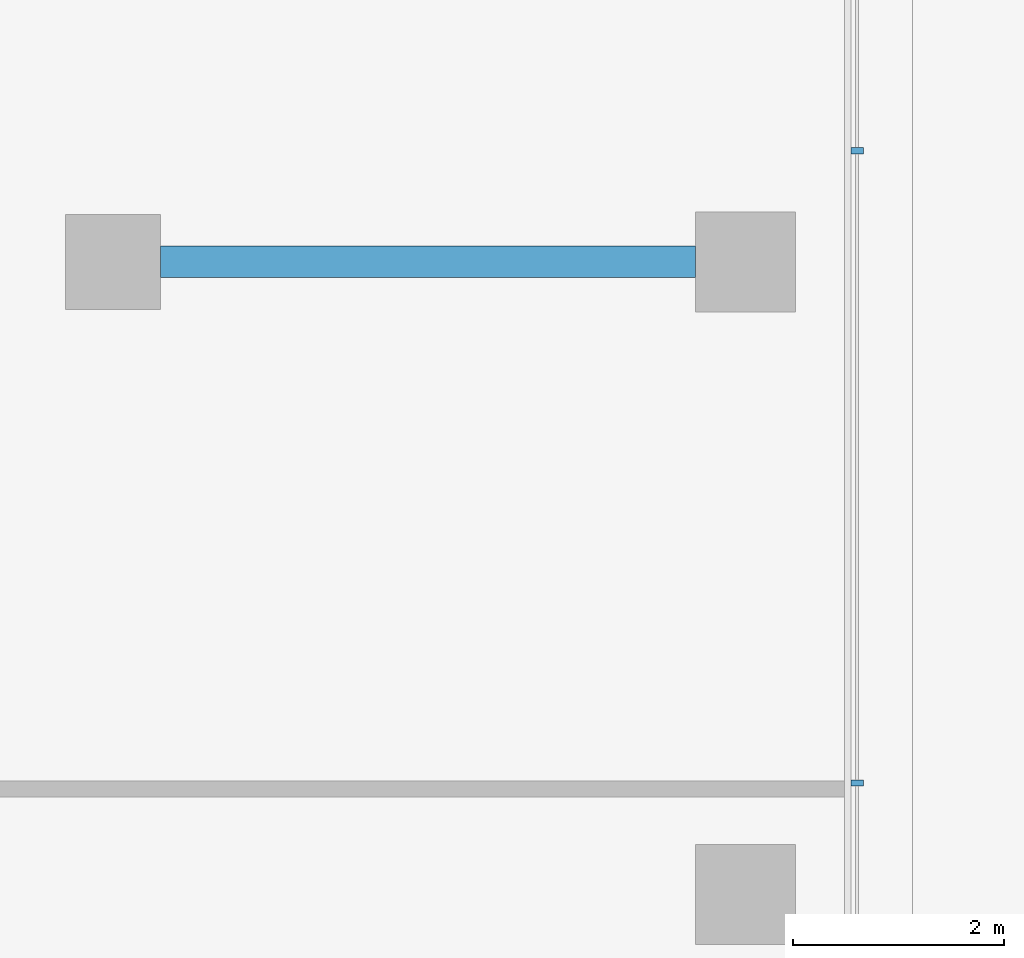
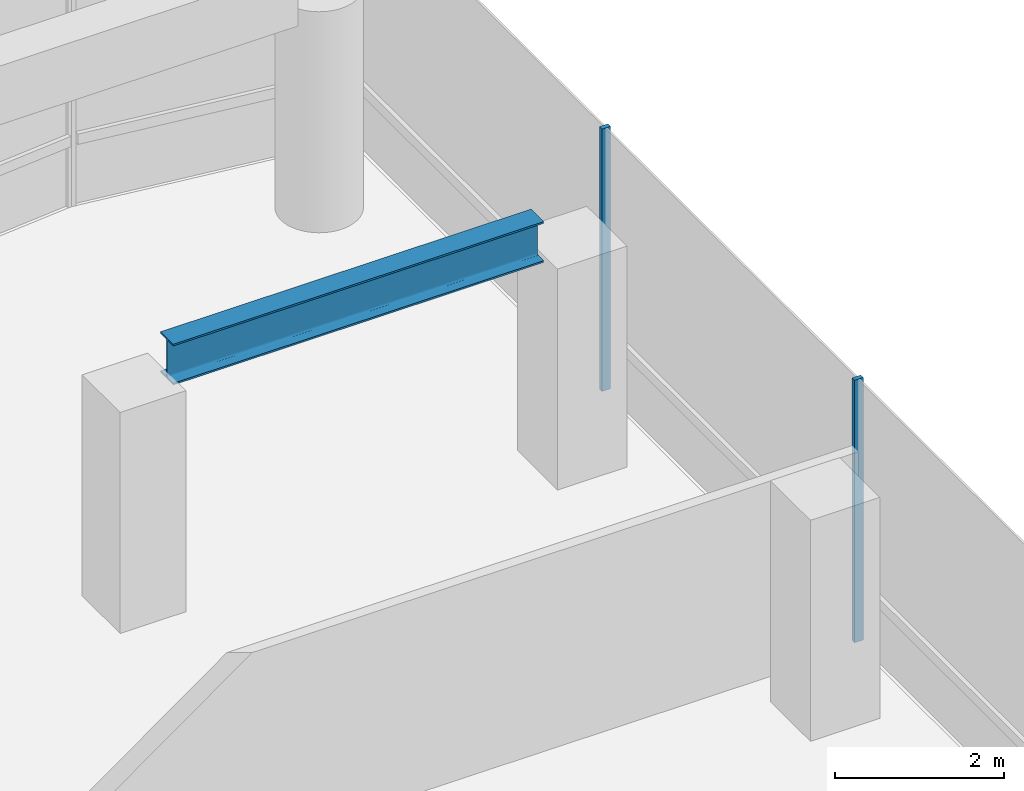
# One storey, part 15 of 22: 2 members, 1 beam, 1 element without a shape of its own.
"""IFC4 building model written with IfcOpenShell, lengths in metres."""

import ifcopenshell
import ifcopenshell.guid

model = None  # the IFC model being written
_history = None  # IfcOwnerHistory: only IFC2X3 demands one
_inside = {}  # id of a spatial element -> (the spatial element, [elements in it])
_under = {}  # id of a project, library or spatial element -> (it, [spatial elements below it])
_declared = {}  # id of a project -> (the project, [libraries it declares])
_typed = {}  # id of a type object -> (the type object, [elements of that type])
_made_of = {}  # id of a material, layer set ... -> (it, [elements and type objects made of it])


def new_model(schema):
    """Start an empty IFC model of exactly this schema.

    Asked for "IFC4X3", IfcOpenShell would pick the latest addendum, in which some entities
    have other attributes; the version numbers below select the first issue.
    IFC2X3 requires an IfcOwnerHistory on every rooted entity: one is made here for all.
    """
    global model, _history
    if schema == "IFC4X3":
        model = ifcopenshell.file(schema_version=(4, 3, 0, 0))
    else:
        model = ifcopenshell.file(schema=schema)
    _inside.clear()
    _under.clear()
    _declared.clear()
    _typed.clear()
    _made_of.clear()
    _history = None
    if model.schema == "IFC2X3":
        org = make("IfcOrganization", Name="unknown")
        user = make(
            "IfcPersonAndOrganization",
            ThePerson=make("IfcPerson", FamilyName="unknown"),
            TheOrganization=org,
        )
        app = make(
            "IfcApplication",
            ApplicationDeveloper=org,
            Version="unknown",
            ApplicationFullName="unknown",
            ApplicationIdentifier="unknown",
        )
        _history = make(
            "IfcOwnerHistory",
            OwningUser=user,
            OwningApplication=app,
            ChangeAction="ADDED",
            CreationDate=0,
        )
    return model


def make(cls, **values):
    """One entity of the class cls with the attributes given. An attribute that is None is left unset."""
    return model.create_entity(
        cls, **{name: value for name, value in values.items() if value is not None}
    )


def rooted(cls, **values):
    """An entity with a GlobalId (a new one), such as an element, a storey or a relation."""
    return make(cls, GlobalId=ifcopenshell.guid.new(), OwnerHistory=_history, **values)


def si_unit(unit_type, name, prefix=None):
    """IfcSIUnit, for example si_unit("LENGTHUNIT", "METRE", prefix="MILLI")."""
    return make("IfcSIUnit", UnitType=unit_type, Prefix=prefix, Name=name)


def assignment(units):
    """IfcUnitAssignment: the units of a project."""
    return None if units is None else make("IfcUnitAssignment", Units=units)


def point(xyz):
    """IfcCartesianPoint."""
    return None if xyz is None else make("IfcCartesianPoint", Coordinates=xyz)


def direction(xyz):
    """IfcDirection."""
    return None if xyz is None else make("IfcDirection", DirectionRatios=xyz)


def frame(location, z_axis=None, x_axis=None):
    """IfcAxis2Placement3D, a coordinate frame: its origin and axes. An axis left out is left unset."""
    return make(
        "IfcAxis2Placement3D",
        Location=point(location),
        Axis=direction(z_axis),
        RefDirection=direction(x_axis),
    )


def frame_2d(location, x_axis=None):
    """IfcAxis2Placement2D, a coordinate frame in the plane: its origin and x axis."""
    return make(
        "IfcAxis2Placement2D", Location=point(location), RefDirection=direction(x_axis)
    )


def origin():
    """The frame at (0, 0, 0) with its axes left unset."""
    return frame((0.0, 0.0, 0.0))


def origin_2d():
    """The frame at (0, 0) in the plane with its x axis left unset."""
    return frame_2d((0.0, 0.0))


def place(relative_to, where):
    """IfcLocalPlacement: puts the frame where relative to a parent placement (None: the world)."""
    return make(
        "IfcLocalPlacement", PlacementRelTo=relative_to, RelativePlacement=where
    )


def context(
    kind, dimensions, precision=None, world=None, true_north=None, identifier=None
):
    """IfcGeometricRepresentationContext, for example the 3D "Model" context."""
    return make(
        "IfcGeometricRepresentationContext",
        ContextIdentifier=identifier,
        ContextType=kind,
        CoordinateSpaceDimension=dimensions,
        Precision=precision,
        WorldCoordinateSystem=world,
        TrueNorth=true_north,
    )


def subcontext(parent, identifier, kind, view, scale=None):
    """IfcGeometricRepresentationSubContext, for example "Body" below "Model"."""
    return make(
        "IfcGeometricRepresentationSubContext",
        ContextIdentifier=identifier,
        ContextType=kind,
        ParentContext=parent,
        TargetScale=scale,
        TargetView=view,
    )


def project(units=None, contexts=None):
    """IfcProject with its units and contexts."""
    return rooted(
        "IfcProject",
        Name="project",
        RepresentationContexts=contexts,
        UnitsInContext=assignment(units),
    )


def spatial(cls, under=None, at=None, **own):
    """A site, building, storey or space (cls), placed at a placement, below another one or the project."""
    s = rooted(cls, ObjectPlacement=at, **own)
    if under is not None:
        _under.setdefault(under.id(), (under, []))[1].append(s)
    return s


def profile(cls, at=None, kind="AREA", **sizes):
    """A parametric profile (cls). Its sizes go by their IFC names, for example OverallWidth=200.0."""
    return make(cls, ProfileType=kind, Position=at, **sizes)


def rectangle(**sizes):
    """IfcRectangleProfileDef."""
    return profile("IfcRectangleProfileDef", **sizes)


def i_section(**sizes):
    """IfcIShapeProfileDef."""
    return profile("IfcIShapeProfileDef", **sizes)


def extrude(swept, where, along, depth):
    """IfcExtrudedAreaSolid: the profile swept, set in the frame where, extruded along a direction by depth."""
    return make(
        "IfcExtrudedAreaSolid",
        SweptArea=swept,
        Position=where,
        ExtrudedDirection=direction(along),
        Depth=depth,
    )


def shape(context_of_items, identifier, shape_type, items):
    """IfcShapeRepresentation: the items that make up one representation, for example the "Body"."""
    return make(
        "IfcShapeRepresentation",
        ContextOfItems=context_of_items,
        RepresentationIdentifier=identifier,
        RepresentationType=shape_type,
        Items=items,
    )


def material(Name=None, Category=None):
    """IfcMaterial."""
    return make("IfcMaterial", Name=Name, Category=Category)


def layer(
    of_material, thickness, ventilated=None, Name=None, Category=None, Priority=None
):
    """IfcMaterialLayer: one layer of a wall or slab, of a material (None: an air gap)."""
    return make(
        "IfcMaterialLayer",
        Material=of_material,
        LayerThickness=thickness,
        IsVentilated=ventilated,
        Name=Name,
        Category=Category,
        Priority=Priority,
    )


def layer_set(layers, Name=None):
    """IfcMaterialLayerSet."""
    return make("IfcMaterialLayerSet", MaterialLayers=layers, LayerSetName=Name)


def material_profile(
    of_material, cross_section, Name=None, Category=None, Priority=None
):
    """IfcMaterialProfile: a cross section and its material."""
    return make(
        "IfcMaterialProfile",
        Name=Name,
        Material=of_material,
        Profile=cross_section,
        Priority=Priority,
        Category=Category,
    )


def profile_set(profiles, Name=None, composite=None):
    """IfcMaterialProfileSet."""
    return make(
        "IfcMaterialProfileSet",
        Name=Name,
        MaterialProfiles=profiles,
        CompositeProfile=composite,
    )


def made_of(thing, what):
    """Note that an element or type object is made of a material, layer set ...; save() writes the relation."""
    if what is not None:
        _made_of.setdefault(what.id(), (what, []))[1].append(thing)
    return thing


def type_object(cls, material=None, **own):
    """A type object (cls), such as IfcWallType, which elements share."""
    return made_of(rooted(cls, **own), material)


def element(
    cls,
    number,
    at=None,
    inside=None,
    cuts=None,
    type_object=None,
    material=None,
    context=None,
    identifier="Body",
    shape_type=None,
    held_by="IfcProductDefinitionShape",
    body=None,
    shapes=None,
    **own,
):
    """One element of the class cls, such as IfcWall. Its Tag is "e" and its number.

    at: its placement. inside: the storey or other place that contains it. cuts: it is an
    opening in that element (IfcRelVoidsElement). A single representation is given by context,
    identifier, shape_type and body (its items); several are given by shapes. held_by: the class
    of the entity that holds the representations. save() writes the other relations.
    """
    e = rooted(cls, Tag="e%d" % number, ObjectPlacement=at, **own)
    if body is not None:
        shapes = [shape(context, identifier, shape_type, body)]
    if shapes is not None:
        e.Representation = make(held_by, Representations=shapes)
    if inside is not None:
        _inside.setdefault(inside.id(), (inside, []))[1].append(e)
    if cuts is not None:
        rooted(
            "IfcRelVoidsElement", RelatingBuildingElement=cuts, RelatedOpeningElement=e
        )
    if type_object is not None:
        _typed.setdefault(type_object.id(), (type_object, []))[1].append(e)
    return made_of(e, material)


def aggregate(whole, parts):
    """IfcRelAggregates: a whole, such as a stair, and the parts it consists of."""
    return rooted("IfcRelAggregates", RelatingObject=whole, RelatedObjects=parts)


def save(model, path):
    """Write the relations noted so far, then the file.

    IfcRelAggregates (storeys below a building ...), IfcRelContainedInSpatialStructure (elements
    in a storey), IfcRelDefinesByType, IfcRelAssociatesMaterial and IfcRelDeclares: one each for
    every whole, place, type object, material and project.
    """
    for whole, parts in _under.values():
        aggregate(whole, parts)
    for where, things in _inside.values():
        rooted(
            "IfcRelContainedInSpatialStructure",
            RelatedElements=things,
            RelatingStructure=where,
        )
    for kind, things in _typed.values():
        rooted("IfcRelDefinesByType", RelatedObjects=things, RelatingType=kind)
    for what, things in _made_of.values():
        rooted("IfcRelAssociatesMaterial", RelatedObjects=things, RelatingMaterial=what)
    for by, libraries in _declared.values():
        rooted("IfcRelDeclares", RelatingContext=by, RelatedDefinitions=libraries)
    model.write(path)


model = new_model("IFC4")

# Units and contexts
model_context = context("Model", 3, precision=1e-05, world=origin(), true_north=direction((0.0, 1.0)))
body_context = subcontext(model_context, "Body", "Model", "MODEL_VIEW")
ifc_project = project(units=[si_unit("LENGTHUNIT", "METRE"), si_unit("AREAUNIT", "SQUARE_METRE"), si_unit("VOLUMEUNIT", "CUBIC_METRE"), si_unit("PLANEANGLEUNIT", "RADIAN"), si_unit("MASSUNIT", "GRAM", prefix="KILO")], contexts=[model_context])

# Site, building, storey
site_placement = place(None, origin())
site = spatial("IfcSite", under=ifc_project, at=site_placement, CompositionType="ELEMENT")
building_placement = place(site_placement, origin())
building = spatial("IfcBuilding", under=site, at=building_placement, Name="Welwitschia Terrace Campus", CompositionType="ELEMENT")
storey_placement = place(building_placement, frame((0.0, 0.0, 192.800048828125)))
storey = spatial("IfcBuildingStorey", under=building, at=storey_placement, Name="L43", CompositionType="ELEMENT", Elevation=192.800048828125)

# Curtain wall, members
ifc_material_1 = material(Name="Bronze anodised aluminium", Category="aluminium")
ifc_layer = layer(ifc_material_1, 0.1201171875)
ifc_layer_set = layer_set([ifc_layer], Name="Bronze anodised aluminium")
curtain_wall_type = type_object("IfcCurtainWallType", Name="Curtain wall CW2 tower 6000", PredefinedType="NOTDEFINED", material=ifc_layer_set)
curtain_wall_placement = place(storey_placement, origin())
curtain_wall = element("IfcCurtainWall", 1, at=curtain_wall_placement, inside=storey, type_object=curtain_wall_type, Name="CW L43.10.0", PredefinedType="NOTDEFINED")
ifc_material_2 = material(Name="Bronze anodised aluminium", Category="aluminium")
ifc_material_profile_1 = material_profile(ifc_material_2, rectangle(XDim=0.1201171875, YDim=0.06005859375, at=origin_2d()))
ifc_profile_set_1 = profile_set([ifc_material_profile_1], Name="Bronze anodised aluminium")
member_type = type_object("IfcMemberType", Name="Mullion 60x120", PredefinedType="MULLION", material=ifc_profile_set_1)
member_1_placement = place(storey_placement, frame((25.05810546875, 51.056884765625, 0.0), z_axis=(0.0, 0.0, 1.0), x_axis=(-1.0, 0.0, 0.0)))
member_1 = element("IfcMember", 2, at=member_1_placement, type_object=member_type, Name="Mullion L43.10.0.4", PredefinedType="MULLION", context=body_context, shape_type="SweptSolid", body=[
    extrude(rectangle(XDim=0.1201171875, YDim=0.06005859375, at=origin_2d()), origin(), (0.0, 0.0, 1.0), 3.800048828125),
])
member_2_placement = place(storey_placement, frame((25.05810546875, 57.0537109375, 0.0), z_axis=(0.0, 0.0, 1.0), x_axis=(-1.0, 0.0, 0.0)))
member_2 = element("IfcMember", 3, at=member_2_placement, type_object=member_type, Name="Mullion L43.10.0.5", PredefinedType="MULLION", context=body_context, shape_type="SweptSolid", body=[
    extrude(rectangle(XDim=0.1201171875, YDim=0.06005859375, at=origin_2d()), origin(), (0.0, 0.0, 1.0), 3.800048828125),
])
aggregate(curtain_wall, [member_1, member_2])

# Beam
ifc_material_3 = material(Name="Steel S355", Category="steel")
ifc_material_profile_2 = material_profile(ifc_material_3, i_section(OverallWidth=0.300048828125, OverallDepth=0.590087890625, WebThickness=0.012939453125, FlangeThickness=0.02490234375, FilletRadius=0.027099609375, at=origin_2d()))
ifc_profile_set_2 = profile_set([ifc_material_profile_2], Name="Steel S355")
beam_type = type_object("IfcBeamType", Name="Primary beam HE 600 A", PredefinedType="BEAM", material=ifc_profile_set_2)
beam_placement = place(storey_placement, frame((23.5244140625, 56.0, 3.39501953125), z_axis=(-1.0, 0.0, 0.0), x_axis=(0.0, -1.0, 0.0)))
element("IfcBeam", 4, at=beam_placement, inside=storey, type_object=beam_type, Name="Primary beam PB4", PredefinedType="BEAM", context=body_context, shape_type="SweptSolid", body=[
    extrude(i_section(OverallWidth=0.300048828125, OverallDepth=0.590087890625, WebThickness=0.012939453125, FlangeThickness=0.02490234375, FilletRadius=0.027099609375, at=origin_2d()), origin(), (0.0, 0.0, 1.0), 5.073974609375),
])

save(model, "model.ifc")
